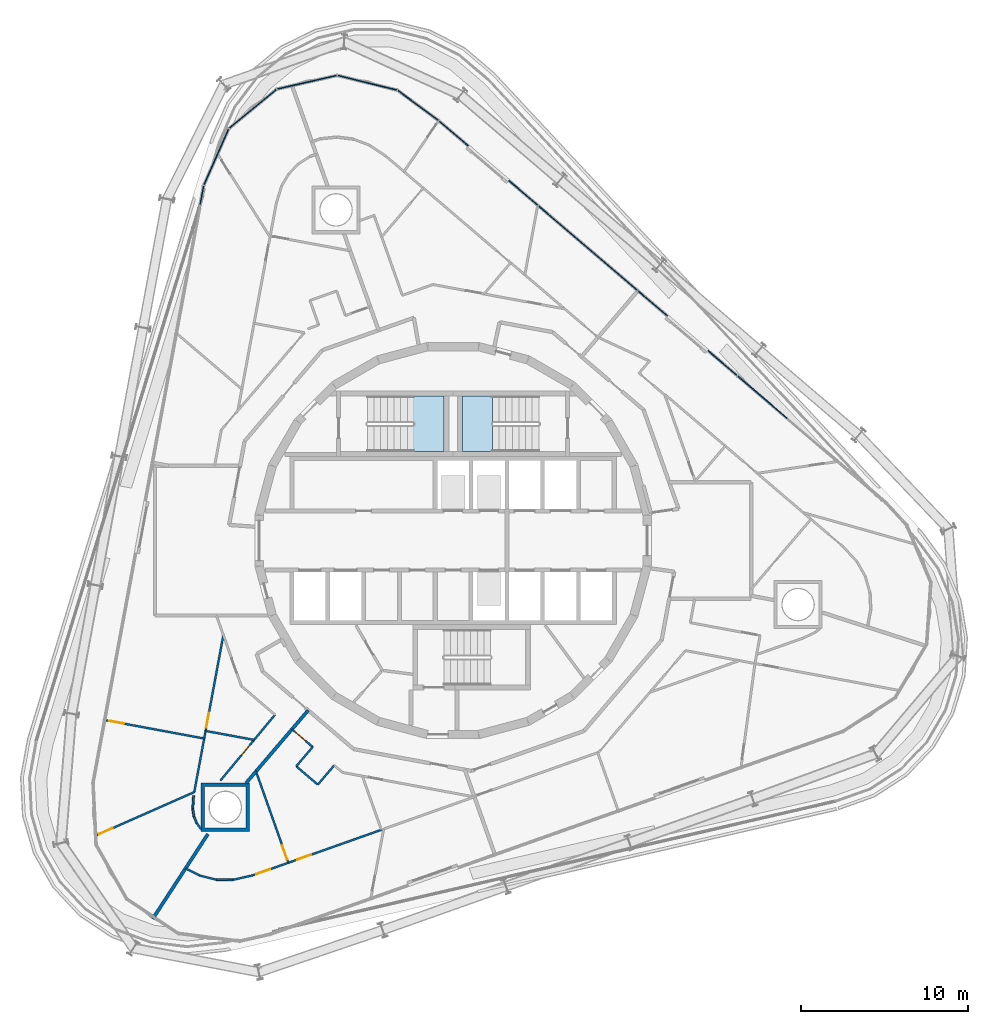
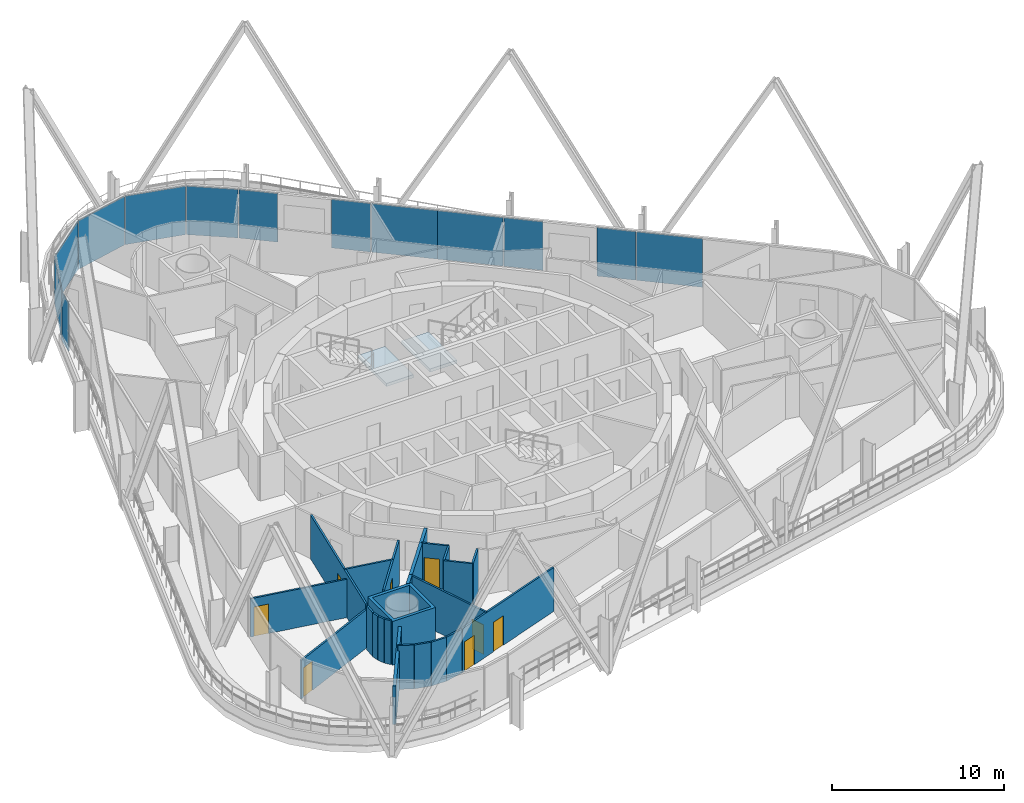
# One storey, part 10 of 25: 23 walls, 13 plates, 8 doors, 2 slabs, 8 openings, 4 elements without a shape of their own.
"""IFC4 building model written with IfcOpenShell, lengths in metres."""

from ifc_helpers import new_model, si_unit, direction, frame, frame_2d, origin, origin_2d, place, context, subcontext, project, spatial, polyline, rectangle, outline, extrude, material, layer, layer_set, type_object, element, fill, aggregate, save


model = new_model("IFC4")

# Units and contexts
model_context = context("Model", 3, precision=1e-05, world=origin(), true_north=direction((0.0, 1.0)))
body_context = subcontext(model_context, "Body", "Model", "MODEL_VIEW")
ifc_project = project(units=[si_unit("LENGTHUNIT", "METRE"), si_unit("AREAUNIT", "SQUARE_METRE"), si_unit("VOLUMEUNIT", "CUBIC_METRE"), si_unit("PLANEANGLEUNIT", "RADIAN"), si_unit("MASSUNIT", "GRAM", prefix="KILO")], contexts=[model_context])

# Site, building, storey
site_placement = place(None, origin())
site = spatial("IfcSite", under=ifc_project, at=site_placement, CompositionType="ELEMENT")
building_placement = place(site_placement, origin())
building = spatial("IfcBuilding", under=site, at=building_placement, Name="Spindle Arch Residences", CompositionType="ELEMENT")
storey_placement = place(building_placement, frame((0.0, 0.0, 151.699951171875)))
storey = spatial("IfcBuildingStorey", under=building, at=storey_placement, Name="L37", CompositionType="ELEMENT", Elevation=151.699951171875)

# Stair, slab
ifc_material_1 = material(Name="Concrete C50/60", Category="concrete")
stair_type = type_object("IfcStairType", Name="Exit stair 16 risers", PredefinedType="HALF_TURN_STAIR", material=ifc_material_1)
stair_1_placement = place(storey_placement, origin())
stair_1 = element("IfcStair", 1, at=stair_1_placement, inside=storey, type_object=stair_type, Name="L37 Exit stair ST1", PredefinedType="HALF_TURN_STAIR")
ifc_material_2 = material(Name="Concrete C50/60", Category="concrete")
ifc_layer_1 = layer(ifc_material_2, 0.219970703125)
ifc_layer_set_1 = layer_set([ifc_layer_1], Name="Exit stair landing 220")
slab_type = type_object("IfcSlabType", Name="Exit stair landing 220", PredefinedType="LANDING", material=ifc_layer_set_1)
slab_1_placement = place(storey_placement, frame((0.0, 0.0, 1.530029296875)))
slab_1 = element("IfcSlab", 2, at=slab_1_placement, type_object=slab_type, Name="ST1 landing 1", PredefinedType="LANDING", context=body_context, shape_type="SweptSolid", body=[
    extrude(outline(polyline([(2.3701171875, 8.669921875), (0.550048828125, 8.669921875), (0.550048828125, 5.35009765625), (2.3701171875, 5.35009765625), (2.3701171875, 8.669921875)])), origin(), (0.0, 0.0, 1.0), 0.219970703125),
])
aggregate(stair_1, [slab_1])

stair_2_placement = place(storey_placement, origin())
stair_2 = element("IfcStair", 3, at=stair_2_placement, inside=storey, type_object=stair_type, Name="L37 Exit stair ST2", PredefinedType="HALF_TURN_STAIR")
slab_2_placement = place(storey_placement, frame((0.0, 0.0, 1.530029296875)))
slab_2 = element("IfcSlab", 4, at=slab_2_placement, type_object=slab_type, Name="ST2 landing 1", PredefinedType="LANDING", context=body_context, shape_type="SweptSolid", body=[
    extrude(outline(polyline([(-2.3701171875, 5.35009765625), (-0.550048828125, 5.35009765625), (-0.550048828125, 8.669921875), (-2.3701171875, 8.669921875), (-2.3701171875, 5.35009765625)])), origin(), (0.0, 0.0, 1.0), 0.219970703125),
])
aggregate(stair_2, [slab_2])

# Curtain wall, plates
ifc_material_3 = material(Name="Aluminium bronze unitised frame with tinted glass", Category="aluminium")
ifc_layer_2 = layer(ifc_material_3, 0.159912109375)
ifc_layer_set_2 = layer_set([ifc_layer_2], Name="CW-C typical residential unitised wall")
curtain_wall_type_1 = type_object("IfcCurtainWallType", Name="CW-C typical residential unitised wall", PredefinedType="NOTDEFINED", material=ifc_layer_set_2)
curtain_wall_1_placement = place(storey_placement, origin())
curtain_wall_1 = element("IfcCurtainWall", 5, at=curtain_wall_1_placement, inside=storey, type_object=curtain_wall_type_1, Name="CW-C L37 run 2", PredefinedType="NOTDEFINED")
ifc_material_4 = material(Name="Tinted double glazing over aluminium faced non-combustible spandrel zone (K0)", Category="aluminium")
ifc_layer_3 = layer(ifc_material_4, 0.06005859375)
ifc_layer_set_3 = layer_set([ifc_layer_3], Name="Unitised glass panel with E 60 spandrel zone")
plate_type = type_object("IfcPlateType", Name="Unitised glass panel with E 60 spandrel zone", PredefinedType="CURTAIN_PANEL", material=ifc_layer_set_3)
plate_1_placement = place(storey_placement, frame((18.574462890625, 8.613525390625, -0.44970703125), z_axis=(0.0, 0.0, 1.0), x_axis=(-0.7604059656, 0.64944804833, 0.0)))
plate_1 = element("IfcPlate", 6, at=plate_1_placement, type_object=plate_type, Name="CW-C unit 05B", PredefinedType="CURTAIN_PANEL", context=body_context, shape_type="SweptSolid", body=[
    extrude(rectangle(XDim=3.900146484375, YDim=0.06005859375, at=origin_2d()), origin(), (0.0, 0.0, 1.0), 3.449951171875),
])
plate_2_placement = place(storey_placement, frame((16.171630859375, 10.665771484375, -0.44970703125), z_axis=(0.0, 0.0, 1.0), x_axis=(-0.7604059656, 0.64944804833, 0.0)))
plate_2 = element("IfcPlate", 7, at=plate_2_placement, type_object=plate_type, Name="CW-C unit 06L", PredefinedType="CURTAIN_PANEL", context=body_context, shape_type="SweptSolid", body=[
    extrude(rectangle(XDim=2.300048828125, YDim=0.06005859375, at=origin_2d()), origin(), (0.0, 0.0, 1.0), 3.449951171875),
])
plate_3_placement = place(storey_placement, frame((11.9892578125, 14.23779296875, -0.44970703125), z_axis=(0.0, 0.0, 1.0), x_axis=(-0.7604059656, 0.64944804833, 0.0)))
plate_3 = element("IfcPlate", 8, at=plate_3_placement, type_object=plate_type, Name="CW-C unit 06R", PredefinedType="CURTAIN_PANEL", context=body_context, shape_type="SweptSolid", body=[
    extrude(rectangle(XDim=2.300048828125, YDim=0.06005859375, at=origin_2d()), origin(), (0.0, 0.0, 1.0), 3.449951171875),
])
plate_4_placement = place(storey_placement, frame((9.58642578125, 16.2900390625, -0.44970703125), z_axis=(0.0, 0.0, 1.0), x_axis=(-0.7604059656, 0.64944804833, 0.0)))
plate_4 = element("IfcPlate", 9, at=plate_4_placement, type_object=plate_type, Name="CW-C unit 07A", PredefinedType="CURTAIN_PANEL", context=body_context, shape_type="SweptSolid", body=[
    extrude(rectangle(XDim=3.900146484375, YDim=0.06005859375, at=origin_2d()), origin(), (0.0, 0.0, 1.0), 3.449951171875),
])
plate_5_placement = place(storey_placement, frame((6.620849609375, 18.822998046875, -0.44970703125), z_axis=(0.0, 0.0, 1.0), x_axis=(-0.7604059656, 0.64944804833, 0.0)))
plate_5 = element("IfcPlate", 10, at=plate_5_placement, type_object=plate_type, Name="CW-C unit 07B", PredefinedType="CURTAIN_PANEL", context=body_context, shape_type="SweptSolid", body=[
    extrude(rectangle(XDim=3.900146484375, YDim=0.06005859375, at=origin_2d()), origin(), (0.0, 0.0, 1.0), 3.449951171875),
])
plate_6_placement = place(storey_placement, frame((4.2177734375, 20.875244140625, -0.44970703125), z_axis=(0.0, 0.0, 1.0), x_axis=(-0.7604059656, 0.64944804833, 0.0)))
plate_6 = element("IfcPlate", 11, at=plate_6_placement, type_object=plate_type, Name="CW-C unit 08L", PredefinedType="CURTAIN_PANEL", context=body_context, shape_type="SweptSolid", body=[
    extrude(rectangle(XDim=2.300048828125, YDim=0.06005859375, at=origin_2d()), origin(), (0.0, 0.0, 1.0), 3.449951171875),
])
plate_7_placement = place(storey_placement, frame((0.03564453125, 24.447265625, -0.44970703125), z_axis=(0.0, 0.0, 1.0), x_axis=(-0.7604059656, 0.64944804833, 0.0)))
plate_7 = element("IfcPlate", 12, at=plate_7_placement, type_object=plate_type, Name="CW-C unit 08R", PredefinedType="CURTAIN_PANEL", context=body_context, shape_type="SweptSolid", body=[
    extrude(rectangle(XDim=2.300048828125, YDim=0.06005859375, at=origin_2d()), origin(), (0.0, 0.0, 1.0), 3.449951171875),
])
aggregate(curtain_wall_1, [plate_1, plate_2, plate_3, plate_4, plate_5, plate_6, plate_7])

ifc_material_5 = material(Name="Aluminium bronze unitised frame with tinted glass", Category="aluminium")
ifc_layer_4 = layer(ifc_material_5, 0.159912109375)
ifc_layer_set_4 = layer_set([ifc_layer_4], Name="CW-D corner wall on the fillet arcs")
curtain_wall_type_2 = type_object("IfcCurtainWallType", Name="CW-D corner wall on the fillet arcs", PredefinedType="NOTDEFINED", material=ifc_layer_set_4)
curtain_wall_2_placement = place(storey_placement, origin())
curtain_wall_2 = element("IfcCurtainWall", 13, at=curtain_wall_2_placement, inside=storey, type_object=curtain_wall_type_2, Name="CW-D L37 run 3", PredefinedType="NOTDEFINED")
plate_8_placement = place(storey_placement, frame((-2.102294921875, 26.1298828125, -0.44970703125), z_axis=(0.0, 0.0, 1.0), x_axis=(-0.804365716131, 0.594134492109, 0.0)))
plate_8 = element("IfcPlate", 14, at=plate_8_placement, type_object=plate_type, Name="CW-D unit 00", PredefinedType="CURTAIN_PANEL", context=body_context, shape_type="SweptSolid", body=[
    extrude(rectangle(XDim=3.0244140625, YDim=0.06005859375, at=origin_2d()), origin(), (0.0, 0.0, 1.0), 3.449951171875),
])
plate_9_placement = place(storey_placement, frame((-5.152099609375, 27.49169921875, -0.44970703125), z_axis=(0.0, 0.0, 1.0), x_axis=(-0.970995342056, 0.239098401721, 0.0)))
plate_9 = element("IfcPlate", 15, at=plate_9_placement, type_object=plate_type, Name="CW-D unit 01", PredefinedType="CURTAIN_PANEL", context=body_context, shape_type="SweptSolid", body=[
    extrude(rectangle(XDim=3.666748046875, YDim=0.06005859375, at=origin_2d()), origin(), (0.0, 0.0, 1.0), 3.449951171875),
])
plate_10_placement = place(storey_placement, frame((-8.7783203125, 27.5234375, -0.44970703125), z_axis=(0.0, 0.0, 1.0), x_axis=(-0.975020297449, -0.222115779633, 0.0)))
plate_10 = element("IfcPlate", 16, at=plate_10_placement, type_object=plate_type, Name="CW-D unit 02", PredefinedType="CURTAIN_PANEL", context=body_context, shape_type="SweptSolid", body=[
    extrude(rectangle(XDim=3.666748046875, YDim=0.06005859375, at=origin_2d()), origin(), (0.0, 0.0, 1.0), 3.449951171875),
])
plate_11_placement = place(storey_placement, frame((-12.032958984375, 25.92431640625, -0.44970703125), z_axis=(0.0, 0.0, 1.0), x_axis=(-0.771624583032, -0.636078220709, 0.0)))
plate_11 = element("IfcPlate", 17, at=plate_11_placement, type_object=plate_type, Name="CW-D unit 03", PredefinedType="CURTAIN_PANEL", context=body_context, shape_type="SweptSolid", body=[
    extrude(rectangle(XDim=3.666748046875, YDim=0.06005859375, at=origin_2d()), origin(), (0.0, 0.0, 1.0), 3.449951171875),
])
plate_12_placement = place(storey_placement, frame((-14.2236328125, 23.034423828125, -0.44970703125), z_axis=(0.0, 0.0, 1.0), x_axis=(-0.404077526853, -0.914724741271, 0.0)))
plate_12 = element("IfcPlate", 18, at=plate_12_placement, type_object=plate_type, Name="CW-D unit 04", PredefinedType="CURTAIN_PANEL", context=body_context, shape_type="SweptSolid", body=[
    extrude(rectangle(XDim=3.666748046875, YDim=0.06005859375, at=origin_2d()), origin(), (0.0, 0.0, 1.0), 3.449951171875),
])
plate_13_placement = place(storey_placement, frame((-15.087158203125, 20.7333984375, -0.44970703125), z_axis=(0.0, 0.0, 1.0), x_axis=(-0.182235525492, -0.983254907564, 0.0)))
plate_13 = element("IfcPlate", 19, at=plate_13_placement, type_object=plate_type, Name="CW-D unit 05", PredefinedType="CURTAIN_PANEL", context=body_context, shape_type="SweptSolid", body=[
    extrude(rectangle(XDim=1.1533203125, YDim=0.06005859375, at=origin_2d()), origin(), (0.0, 0.0, 1.0), 3.449951171875),
])
aggregate(curtain_wall_2, [plate_8, plate_9, plate_10, plate_11, plate_12, plate_13])

# Wall, opening, door
ifc_material_6 = material(Name="Plasterboard on steel studs", Category="steel")
ifc_layer_5 = layer(ifc_material_6, 0.1201171875)
ifc_layer_set_5 = layer_set([ifc_layer_5], Name="Flat partition 120")
wall_type_1 = type_object("IfcWallType", Name="Flat partition 120", PredefinedType="PARTITIONING", material=ifc_layer_set_5)
wall_1_placement = place(storey_placement, frame((-10.697998046875, -10.4580078125, 0.0), z_axis=(0.0, 0.0, 1.0), x_axis=(-0.63830561059, -0.769783052223, 0.0)))
wall_1 = element("IfcWall", 20, at=wall_1_placement, inside=storey, type_object=wall_type_1, Name="Flat partition R4A0-W087", PredefinedType="PARTITIONING", context=body_context, shape_type="SweptSolid", body=[
    extrude(rectangle(XDim=5.130615234375, YDim=0.1201171875, at=frame_2d((2.5654296875, 0.0))), origin(), (0.0, 0.0, 1.0), 3.1201171875),
])
opening_1_placement = place(wall_1_placement, frame((2.362548828125, 0.0, 0.0)))
opening_1 = element("IfcOpeningElement", 21, at=opening_1_placement, cuts=wall_1, Name="Opening R4A0-BD04", PredefinedType="OPENING", context=body_context, shape_type="SweptSolid", body=[
    extrude(rectangle(XDim=0.800048828125, YDim=2.10009765625, at=frame_2d((0.39990234375, 1.050048828125))), frame((0.0, 0.070068359375, 0.0), z_axis=(0.0, -1.0, 0.0), x_axis=(1.0, 0.0, 0.0)), (0.0, 0.0, 1.0), 0.14013671875),
])
ifc_material_7 = material(Name="Timber door set", Category="wood")
door_type_1 = type_object("IfcDoorType", Name="Bathroom door 800x2100", OperationType="NOTDEFINED", PredefinedType="DOOR", material=ifc_material_7)
door_1_placement = place(opening_1_placement, origin())
door_1 = element("IfcDoor", 22, at=door_1_placement, inside=storey, type_object=door_type_1, Name="Bathroom door R4A0-BD04", OperationType="SINGLE_SWING_RIGHT", OverallHeight=2.10009765625, OverallWidth=0.800048828125, PredefinedType="DOOR", context=body_context, shape_type="SweptSolid", body=[
    extrude(rectangle(XDim=0.800048828125, YDim=2.10009765625, at=frame_2d((0.39990234375, 1.050048828125))), frame((0.0, 0.02490234375, 0.0), z_axis=(0.0, -1.0, 0.0), x_axis=(1.0, 0.0, 0.0)), (0.0, 0.0, 1.0), 0.050048828125),
])
fill(opening_1, door_1)

wall_2_placement = place(storey_placement, frame((-15.55419921875, -15.149169921875, 0.0), z_axis=(0.0, 0.0, 1.0), x_axis=(0.182237116667, 0.983254612656, 0.0)))
wall_2 = element("IfcWall", 23, at=wall_2_placement, inside=storey, type_object=wall_type_1, Name="Flat partition R4A0-W089", PredefinedType="PARTITIONING", context=body_context, shape_type="SweptSolid", body=[
    extrude(rectangle(XDim=9.6376953125, YDim=0.1201171875, at=frame_2d((4.81884765625, 0.0))), origin(), (0.0, 0.0, 1.0), 3.1201171875),
])
opening_2_placement = place(wall_2_placement, frame((3.98388671875, 0.0, 0.0)))
opening_2 = element("IfcOpeningElement", 24, at=opening_2_placement, cuts=wall_2, Name="Opening R4A0-ID17", PredefinedType="OPENING", context=body_context, shape_type="SweptSolid", body=[
    extrude(rectangle(XDim=0.89990234375, YDim=2.10009765625, at=frame_2d((0.449951171875, 1.050048828125))), frame((0.0, 0.070068359375, 0.0), z_axis=(0.0, -1.0, 0.0), x_axis=(1.0, 0.0, 0.0)), (0.0, 0.0, 1.0), 0.14013671875),
])
ifc_material_8 = material(Name="Timber door set", Category="wood")
door_type_2 = type_object("IfcDoorType", Name="Room door 900x2100", OperationType="NOTDEFINED", PredefinedType="DOOR", material=ifc_material_8)
door_2_placement = place(opening_2_placement, origin())
door_2 = element("IfcDoor", 25, at=door_2_placement, inside=storey, type_object=door_type_2, Name="Room door R4A0-ID17", OperationType="SINGLE_SWING_RIGHT", OverallHeight=2.10009765625, OverallWidth=0.89990234375, PredefinedType="DOOR", context=body_context, shape_type="SweptSolid", body=[
    extrude(rectangle(XDim=0.89990234375, YDim=2.10009765625, at=frame_2d((0.449951171875, 1.050048828125))), frame((0.0, 0.02490234375, 0.0), z_axis=(0.0, -1.0, 0.0), x_axis=(1.0, 0.0, 0.0)), (0.0, 0.0, 1.0), 0.050048828125),
])
fill(opening_2, door_2)

# Walls
wall_3_placement = place(storey_placement, frame((-14.864501953125, -11.428466796875, 0.0), z_axis=(0.0, 0.0, 1.0), x_axis=(0.983255224962, -0.182233812955, 0.0)))
element("IfcWall", 26, at=wall_3_placement, inside=storey, type_object=wall_type_1, Name="Flat partition R4A0-W091", PredefinedType="PARTITIONING", context=body_context, shape_type="SweptSolid", body=[
    extrude(rectangle(XDim=2.96337890625, YDim=0.1201171875, at=frame_2d((1.481689453125, 0.0))), origin(), (0.0, 0.0, 1.0), 3.1201171875),
])
wall_4_placement = place(storey_placement, frame((-15.583984375, -15.310546875, 0.0), z_axis=(0.0, 0.0, 1.0), x_axis=(-0.066880551605, -0.997760989324, 0.0)))
element("IfcWall", 27, at=wall_4_placement, inside=storey, type_object=wall_type_1, Name="Flat partition R4A0-W092", PredefinedType="PARTITIONING", context=body_context, shape_type="SweptSolid", body=[
    extrude(rectangle(XDim=0.806640625, YDim=0.1201171875, at=frame_2d((0.4033203125, 0.0))), origin(), (0.0, 0.0, 1.0), 3.1201171875),
])
for number, where, z_axis, x_axis, name in (
    (28, (-15.637939453125, -16.115478515625, 0.0), (0.0, 0.0, 1.0), (0.16474706489, -0.986335847777, 0.0), "Flat partition R4A0-W093"),
    (29, (-15.56298828125, -16.564208984375, 0.0), (0.0, 0.0, 1.0), (0.388536778391, -0.921433216157, 0.0), "Flat partition R4A0-W094"),
):
    element("IfcWall", number, at=place(storey_placement, frame(where, z_axis=z_axis, x_axis=x_axis)), inside=storey, type_object=wall_type_1, Name=name, PredefinedType="PARTITIONING", context=body_context, shape_type="SweptSolid", body=[
        extrude(rectangle(XDim=0.454833984375, YDim=0.1201171875, at=frame_2d((0.2275390625, 0.0))), origin(), (0.0, 0.0, 1.0), 3.1201171875),
    ])
wall_5_placement = place(storey_placement, frame((-15.38623046875, -16.9833984375, 0.0), z_axis=(0.0, 0.0, 1.0), x_axis=(0.590016589342, -0.807391122258, 0.0)))
element("IfcWall", 30, at=wall_5_placement, inside=storey, type_object=wall_type_1, Name="Flat partition R4A0-W095", PredefinedType="PARTITIONING", context=body_context, shape_type="SweptSolid", body=[
    extrude(rectangle(XDim=0.432373046875, YDim=0.1201171875, at=frame_2d((0.21630859375, 0.0))), origin(), (0.0, 0.0, 1.0), 3.1201171875),
])

# Wall, opening, door
wall_6_placement = place(storey_placement, frame((-9.6767578125, -11.330078125, 0.0), z_axis=(0.0, 0.0, 1.0), x_axis=(0.760372142735, -0.649487647729, 0.0)))
wall_6 = element("IfcWall", 31, at=wall_6_placement, inside=storey, type_object=wall_type_1, Name="Flat partition R4A0-W096", PredefinedType="PARTITIONING", context=body_context, shape_type="SweptSolid", body=[
    extrude(rectangle(XDim=1.635986328125, YDim=0.1201171875, at=frame_2d((0.81787109375, 0.0))), origin(), (0.0, 0.0, 1.0), 3.1201171875),
])
opening_3_placement = place(wall_6_placement, frame((0.199951171875, 0.0, 0.0)))
opening_3 = element("IfcOpeningElement", 32, at=opening_3_placement, cuts=wall_6, Name="Opening R4A0-ID20", PredefinedType="OPENING", context=body_context, shape_type="SweptSolid", body=[
    extrude(rectangle(XDim=0.89990234375, YDim=2.10009765625, at=frame_2d((0.449951171875, 1.050048828125))), frame((0.0, 0.070068359375, 0.0), z_axis=(0.0, -1.0, 0.0), x_axis=(1.0, 0.0, 0.0)), (0.0, 0.0, 1.0), 0.14013671875),
])
door_3_placement = place(opening_3_placement, origin())
door_3 = element("IfcDoor", 33, at=door_3_placement, inside=storey, type_object=door_type_2, Name="Room door R4A0-ID20", OperationType="SINGLE_SWING_LEFT", OverallHeight=2.10009765625, OverallWidth=0.89990234375, PredefinedType="DOOR", context=body_context, shape_type="SweptSolid", body=[
    extrude(rectangle(XDim=0.89990234375, YDim=2.10009765625, at=frame_2d((0.449951171875, 1.050048828125))), frame((0.0, 0.02490234375, 0.0), z_axis=(0.0, -1.0, 0.0), x_axis=(1.0, 0.0, 0.0)), (0.0, 0.0, 1.0), 0.050048828125),
])
fill(opening_3, door_3)

# Walls
wall_7_placement = place(storey_placement, frame((-8.432861328125, -12.392578125, 0.0), z_axis=(0.0, 0.0, 1.0), x_axis=(-0.649443355674, -0.760409973482, 0.0)))
element("IfcWall", 34, at=wall_7_placement, inside=storey, type_object=wall_type_1, Name="Flat partition R4A0-W097", PredefinedType="PARTITIONING", context=body_context, shape_type="SweptSolid", body=[
    extrude(rectangle(XDim=1.5224609375, YDim=0.1201171875, at=frame_2d((0.76123046875, 0.0))), origin(), (0.0, 0.0, 1.0), 3.1201171875),
])
wall_8_placement = place(storey_placement, frame((-9.421630859375, -13.55029296875, 0.0), z_axis=(0.0, 0.0, 1.0), x_axis=(0.760431300628, -0.649418383652, 0.0)))
element("IfcWall", 35, at=wall_8_placement, inside=storey, type_object=wall_type_1, Name="Flat partition R4A0-W098", PredefinedType="PARTITIONING", context=body_context, shape_type="SweptSolid", body=[
    extrude(rectangle(XDim=1.699951171875, YDim=0.1201171875, at=frame_2d((0.85009765625, 0.0))), origin(), (0.0, 0.0, 1.0), 3.1201171875),
])
wall_9_placement = place(storey_placement, frame((-8.12890625, -14.654296875, 0.0), z_axis=(0.0, 0.0, 1.0), x_axis=(0.649443355674, 0.760409973482, 0.0)))
element("IfcWall", 36, at=wall_9_placement, inside=storey, type_object=wall_type_1, Name="Flat partition R4A0-W099", PredefinedType="PARTITIONING", context=body_context, shape_type="SweptSolid", body=[
    extrude(rectangle(XDim=1.5224609375, YDim=0.1201171875, at=frame_2d((0.76123046875, 0.0))), origin(), (0.0, 0.0, 1.0), 3.1201171875),
])

# Wall, opening, door
wall_10_placement = place(storey_placement, frame((-9.895263671875, -19.345703125, 0.0), z_axis=(0.0, 0.0, 1.0), x_axis=(-0.333781129158, 0.942650602195, 0.0)))
wall_10 = element("IfcWall", 37, at=wall_10_placement, inside=storey, type_object=wall_type_1, Name="Flat partition R4A0-W102", PredefinedType="PARTITIONING", context=body_context, shape_type="SweptSolid", body=[
    extrude(rectangle(XDim=5.8193359375, YDim=0.1201171875, at=frame_2d((2.90966796875, 0.0))), origin(), (0.0, 0.0, 1.0), 3.1201171875),
])
opening_4_placement = place(wall_10_placement, frame((0.199951171875, 0.0, 0.0)))
opening_4 = element("IfcOpeningElement", 38, at=opening_4_placement, cuts=wall_10, Name="Opening R4A0-ID21", PredefinedType="OPENING", context=body_context, shape_type="SweptSolid", body=[
    extrude(rectangle(XDim=0.89990234375, YDim=2.10009765625, at=frame_2d((0.449951171875, 1.050048828125))), frame((0.0, 0.070068359375, 0.0), z_axis=(0.0, -1.0, 0.0), x_axis=(1.0, 0.0, 0.0)), (0.0, 0.0, 1.0), 0.14013671875),
])
door_4_placement = place(opening_4_placement, origin())
door_4 = element("IfcDoor", 39, at=door_4_placement, inside=storey, type_object=door_type_2, Name="Room door R4A0-ID21", OperationType="SINGLE_SWING_LEFT", OverallHeight=2.10009765625, OverallWidth=0.89990234375, PredefinedType="DOOR", context=body_context, shape_type="SweptSolid", body=[
    extrude(rectangle(XDim=0.89990234375, YDim=2.10009765625, at=frame_2d((0.449951171875, 1.050048828125))), frame((0.0, 0.02490234375, 0.0), z_axis=(0.0, -1.0, 0.0), x_axis=(1.0, 0.0, 0.0)), (0.0, 0.0, 1.0), 0.050048828125),
])
fill(opening_4, door_4)

# Walls
wall_11_placement = place(storey_placement, frame((-16.065185546875, -19.679931640625, 0.0), z_axis=(0.0, 0.0, 1.0), x_axis=(0.889684645268, -0.456575549033, 0.0)))
element("IfcWall", 40, at=wall_11_placement, inside=storey, type_object=wall_type_1, Name="Flat partition R4A0-W103", PredefinedType="PARTITIONING", context=body_context, shape_type="SweptSolid", body=[
    extrude(rectangle(XDim=0.95703125, YDim=0.1201171875, at=frame_2d((0.478515625, 0.0))), origin(), (0.0, 0.0, 1.0), 3.1201171875),
])
wall_12_placement = place(storey_placement, frame((-15.213623046875, -20.116943359375, 0.0), z_axis=(0.0, 0.0, 1.0), x_axis=(0.970998575146, -0.239085271534, 0.0)))
element("IfcWall", 41, at=wall_12_placement, inside=storey, type_object=wall_type_1, Name="Flat partition R4A0-W104", PredefinedType="PARTITIONING", context=body_context, shape_type="SweptSolid", body=[
    extrude(rectangle(XDim=1.01611328125, YDim=0.1201171875, at=frame_2d((0.508056640625, 0.0))), origin(), (0.0, 0.0, 1.0), 3.1201171875),
])
wall_13_placement = place(storey_placement, frame((-14.22705078125, -20.35986328125, 0.0), z_axis=(0.0, 0.0, 1.0), x_axis=(0.999960467683, -0.008891741722, 0.0)))
element("IfcWall", 42, at=wall_13_placement, inside=storey, type_object=wall_type_1, Name="Flat partition R4A0-W105", PredefinedType="PARTITIONING", context=body_context, shape_type="SweptSolid", body=[
    extrude(rectangle(XDim=1.015869140625, YDim=0.1201171875, at=frame_2d((0.5078125, 0.0))), origin(), (0.0, 0.0, 1.0), 3.1201171875),
])
wall_14_placement = place(storey_placement, frame((-13.211181640625, -20.368896484375, 0.0), z_axis=(0.0, 0.0, 1.0), x_axis=(0.974997834831, 0.222214360642, 0.0)))
element("IfcWall", 43, at=wall_14_placement, inside=storey, type_object=wall_type_1, Name="Flat partition R4A0-W106", PredefinedType="PARTITIONING", context=body_context, shape_type="SweptSolid", body=[
    extrude(rectangle(XDim=1.227294921875, YDim=0.1201171875, at=frame_2d((0.61376953125, 0.0))), origin(), (0.0, 0.0, 1.0), 3.1201171875),
])

# Wall, openings, doors
wall_15_placement = place(storey_placement, frame((-12.0146484375, -20.09619140625, 0.0), z_axis=(0.0, 0.0, 1.0), x_axis=(0.942638718556, 0.333814688531, 0.0)))
wall_15 = element("IfcWall", 44, at=wall_15_placement, inside=storey, type_object=wall_type_1, Name="Flat partition R4A0-W107", PredefinedType="PARTITIONING", context=body_context, shape_type="SweptSolid", body=[
    extrude(rectangle(XDim=8.216064453125, YDim=0.1201171875, at=frame_2d((4.10791015625, 0.0))), origin(), (0.0, 0.0, 1.0), 3.1201171875),
])
opening_5_placement = place(wall_15_placement, frame((2.80859375, 0.0, 0.0)))
opening_5 = element("IfcOpeningElement", 45, at=opening_5_placement, cuts=wall_15, Name="Opening R4A0-ID22", PredefinedType="OPENING", context=body_context, shape_type="SweptSolid", body=[
    extrude(rectangle(XDim=0.89990234375, YDim=2.10009765625, at=frame_2d((0.449951171875, 1.050048828125))), frame((0.0, 0.070068359375, 0.0), z_axis=(0.0, -1.0, 0.0), x_axis=(1.0, 0.0, 0.0)), (0.0, 0.0, 1.0), 0.14013671875),
])
opening_6_placement = place(wall_15_placement, frame((0.199951171875, 0.0, 0.0)))
opening_6 = element("IfcOpeningElement", 46, at=opening_6_placement, cuts=wall_15, Name="Opening R4A0-ID24", PredefinedType="OPENING", context=body_context, shape_type="SweptSolid", body=[
    extrude(rectangle(XDim=0.89990234375, YDim=2.10009765625, at=frame_2d((0.449951171875, 1.050048828125))), frame((0.0, 0.070068359375, 0.0), z_axis=(0.0, -1.0, 0.0), x_axis=(1.0, 0.0, 0.0)), (0.0, 0.0, 1.0), 0.14013671875),
])
door_5_placement = place(opening_5_placement, origin())
door_5 = element("IfcDoor", 47, at=door_5_placement, inside=storey, type_object=door_type_2, Name="Room door R4A0-ID22", OperationType="SINGLE_SWING_LEFT", OverallHeight=2.10009765625, OverallWidth=0.89990234375, PredefinedType="DOOR", context=body_context, shape_type="SweptSolid", body=[
    extrude(rectangle(XDim=0.89990234375, YDim=2.10009765625, at=frame_2d((0.449951171875, 1.050048828125))), frame((0.0, 0.02490234375, 0.0), z_axis=(0.0, -1.0, 0.0), x_axis=(1.0, 0.0, 0.0)), (0.0, 0.0, 1.0), 0.050048828125),
])
fill(opening_5, door_5)
door_6_placement = place(opening_6_placement, origin())
door_6 = element("IfcDoor", 48, at=door_6_placement, inside=storey, type_object=door_type_2, Name="Room door R4A0-ID24", OperationType="SINGLE_SWING_LEFT", OverallHeight=2.10009765625, OverallWidth=0.89990234375, PredefinedType="DOOR", context=body_context, shape_type="SweptSolid", body=[
    extrude(rectangle(XDim=0.89990234375, YDim=2.10009765625, at=frame_2d((0.449951171875, 1.050048828125))), frame((0.0, 0.02490234375, 0.0), z_axis=(0.0, -1.0, 0.0), x_axis=(1.0, 0.0, 0.0)), (0.0, 0.0, 1.0), 0.050048828125),
])
fill(opening_6, door_6)

# Wall, opening, door
ifc_material_9 = material(Name="Plasterboard on steel studs", Category="steel")
ifc_layer_6 = layer(ifc_material_9, 0.1201171875)
ifc_layer_set_6 = layer_set([ifc_layer_6], Name="Flat partition 120 under beam 2730")
wall_type_2 = type_object("IfcWallType", Name="Flat partition 120 under beam 2730", PredefinedType="PARTITIONING", material=ifc_layer_set_6)
wall_16_placement = place(storey_placement, frame((-20.8486328125, -10.79150390625, 0.0), z_axis=(0.0, 0.0, 1.0), x_axis=(0.983251500113, -0.182253909494, 0.0)))
wall_16 = element("IfcWall", 49, at=wall_16_placement, inside=storey, type_object=wall_type_2, Name="Flat partition R4A0-W088", PredefinedType="PARTITIONING", context=body_context, shape_type="SweptSolid", body=[
    extrude(rectangle(XDim=6.0, YDim=0.1201171875, at=frame_2d((3.0, 0.0))), origin(), (0.0, 0.0, 1.0), 2.72998046875),
])
opening_7_placement = place(wall_16_placement, frame((0.199951171875, 0.0, 0.0)))
opening_7 = element("IfcOpeningElement", 50, at=opening_7_placement, cuts=wall_16, Name="Opening R4A0-ID18", PredefinedType="OPENING", context=body_context, shape_type="SweptSolid", body=[
    extrude(rectangle(XDim=0.89990234375, YDim=2.10009765625, at=frame_2d((0.449951171875, 1.050048828125))), frame((0.0, 0.070068359375, 0.0), z_axis=(0.0, -1.0, 0.0), x_axis=(1.0, 0.0, 0.0)), (0.0, 0.0, 1.0), 0.14013671875),
])
door_7_placement = place(opening_7_placement, origin())
door_7 = element("IfcDoor", 51, at=door_7_placement, inside=storey, type_object=door_type_2, Name="Room door R4A0-ID18", OperationType="SINGLE_SWING_RIGHT", OverallHeight=2.10009765625, OverallWidth=0.89990234375, PredefinedType="DOOR", context=body_context, shape_type="SweptSolid", body=[
    extrude(rectangle(XDim=0.89990234375, YDim=2.10009765625, at=frame_2d((0.449951171875, 1.050048828125))), frame((0.0, 0.02490234375, 0.0), z_axis=(0.0, -1.0, 0.0), x_axis=(1.0, 0.0, 0.0)), (0.0, 0.0, 1.0), 0.050048828125),
])
fill(opening_7, door_7)

wall_17_placement = place(storey_placement, frame((-21.45458984375, -17.710205078125, 0.0), z_axis=(0.0, 0.0, 1.0), x_axis=(0.914829518237, 0.403840256243, 0.0)))
wall_17 = element("IfcWall", 52, at=wall_17_placement, inside=storey, type_object=wall_type_2, Name="Flat partition R4A0-W090", PredefinedType="PARTITIONING", context=body_context, shape_type="SweptSolid", body=[
    extrude(rectangle(XDim=6.45947265625, YDim=0.1201171875, at=frame_2d((3.229736328125, 0.0))), origin(), (0.0, 0.0, 1.0), 2.72998046875),
])
opening_8_placement = place(wall_17_placement, frame((0.199951171875, 0.0, 0.0)))
opening_8 = element("IfcOpeningElement", 53, at=opening_8_placement, cuts=wall_17, Name="Opening R4A0-ID19", PredefinedType="OPENING", context=body_context, shape_type="SweptSolid", body=[
    extrude(rectangle(XDim=0.89990234375, YDim=2.10009765625, at=frame_2d((0.449951171875, 1.050048828125))), frame((0.0, 0.070068359375, 0.0), z_axis=(0.0, -1.0, 0.0), x_axis=(1.0, 0.0, 0.0)), (0.0, 0.0, 1.0), 0.14013671875),
])
door_8_placement = place(opening_8_placement, origin())
door_8 = element("IfcDoor", 54, at=door_8_placement, inside=storey, type_object=door_type_2, Name="Room door R4A0-ID19", OperationType="SINGLE_SWING_RIGHT", OverallHeight=2.10009765625, OverallWidth=0.89990234375, PredefinedType="DOOR", context=body_context, shape_type="SweptSolid", body=[
    extrude(rectangle(XDim=0.89990234375, YDim=2.10009765625, at=frame_2d((0.449951171875, 1.050048828125))), frame((0.0, 0.02490234375, 0.0), z_axis=(0.0, -1.0, 0.0), x_axis=(1.0, 0.0, 0.0)), (0.0, 0.0, 1.0), 0.050048828125),
])
fill(opening_8, door_8)

# Walls
ifc_material_10 = material(Name="Calcium silicate block, plastered")
ifc_layer_7 = layer(ifc_material_10, 0.199951171875)
ifc_layer_set_7 = layer_set([ifc_layer_7], Name="Flat party wall 200")
wall_type_3 = type_object("IfcWallType", Name="Flat party wall 200", PredefinedType="STANDARD", material=ifc_layer_set_7)
wall_18_placement = place(storey_placement, frame((-11.837646484375, -13.860107421875, 0.0), z_axis=(0.0, 0.0, 1.0), x_axis=(0.64944503311, 0.760408540831, 0.0)))
element("IfcWall", 55, at=wall_18_placement, inside=storey, type_object=wall_type_3, Name="Flat party wall R4A0-W035", PredefinedType="STANDARD", context=body_context, shape_type="SweptSolid", body=[
    extrude(rectangle(XDim=4.8271484375, YDim=0.199951171875, at=frame_2d((2.41357421875, 0.0))), origin(), (0.0, 0.0, 1.0), 3.1201171875),
])
wall_19_placement = place(storey_placement, frame((-12.44287109375, -14.568603515625, 0.0), z_axis=(0.0, 0.0, 1.0), x_axis=(0.649517408851, 0.760346720648, 0.0)))
element("IfcWall", 56, at=wall_19_placement, inside=storey, type_object=wall_type_3, Name="Flat party wall R4A0-W036", PredefinedType="STANDARD", context=body_context, shape_type="SweptSolid", body=[
    extrude(rectangle(XDim=0.931884765625, YDim=0.199951171875, at=frame_2d((0.4658203125, 0.0))), origin(), (0.0, 0.0, 1.0), 3.1201171875),
])
ifc_material_11 = material(Name="Calcium silicate block, plastered")
ifc_layer_8 = layer(ifc_material_11, 0.199951171875)
ifc_layer_set_8 = layer_set([ifc_layer_8], Name="Flat party wall 200 under beam 2730")
wall_type_4 = type_object("IfcWallType", Name="Flat party wall 200 under beam 2730", PredefinedType="STANDARD", material=ifc_layer_set_8)
wall_20_placement = place(storey_placement, frame((-18.039794921875, -22.712890625, 0.0), z_axis=(0.0, 0.0, 1.0), x_axis=(0.545629831617, 0.83802630439, 0.0)))
element("IfcWall", 57, at=wall_20_placement, inside=storey, type_object=wall_type_4, Name="Flat party wall R4A0-W037", PredefinedType="STANDARD", context=body_context, shape_type="SweptSolid", body=[
    extrude(rectangle(XDim=6.07177734375, YDim=0.199951171875, at=frame_2d((3.035888671875, 0.0))), origin(), (0.0, 0.0, 1.0), 2.72998046875),
])
ifc_material_12 = material(Name="Calcium silicate block, plastered")
ifc_layer_9 = layer(ifc_material_12, 0.199951171875)
ifc_layer_set_9 = layer_set([ifc_layer_9], Name="Mega-column casing wall 200")
wall_type_5 = type_object("IfcWallType", Name="Mega-column casing wall 200", PredefinedType="STANDARD", material=ifc_layer_set_9)
wall_21_placement = place(storey_placement, origin())
element("IfcWall", 58, at=wall_21_placement, inside=storey, type_object=wall_type_5, Name="Mega-column casing wall R4A0-WC02", PredefinedType="STANDARD", context=body_context, shape_type="SweptSolid", body=[
    extrude(outline(polyline([(-12.231201171875, -14.568603515625), (-12.231201171875, -17.468505859375), (-15.131103515625, -17.468505859375), (-15.131103515625, -14.568603515625), (-12.231201171875, -14.568603515625)]), holes=[polyline([(-14.93115234375, -17.2685546875), (-12.43115234375, -17.2685546875), (-12.43115234375, -14.7685546875), (-14.93115234375, -14.7685546875), (-14.93115234375, -17.2685546875)])]), origin(), (0.0, 0.0, 1.0), 3.1201171875),
])

save(model, "model.ifc")
